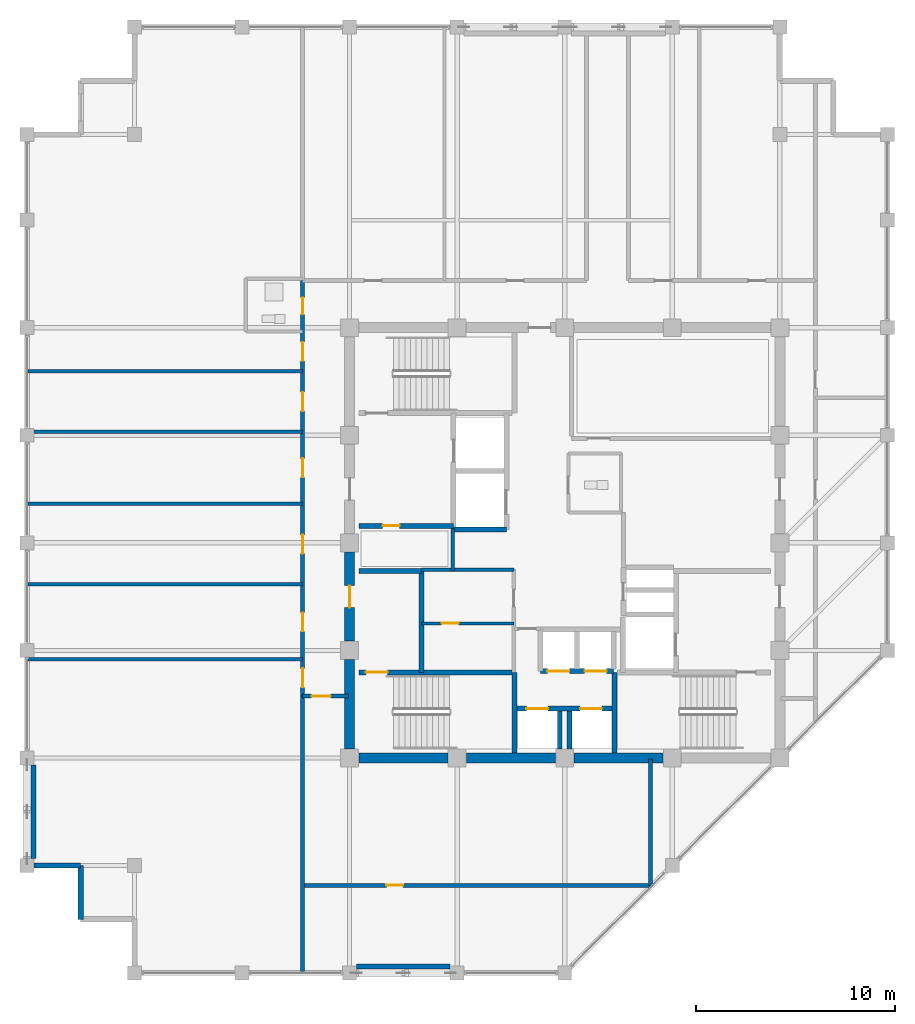
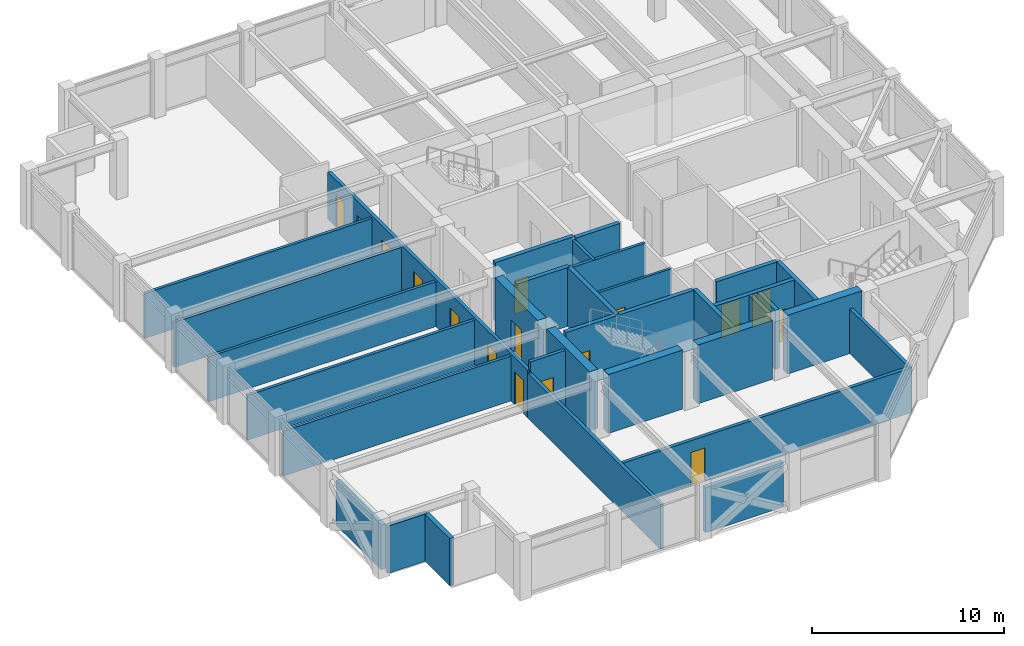
# One storey, part 26 of 30: 33 walls, 17 doors, 17 openings.
"""IFC4 building model written with IfcOpenShell, lengths in metres."""

from ifc_helpers import new_model, si_unit, direction, frame, frame_2d, origin, place, context, subcontext, project, spatial, rectangle, extrude, material, layer, layer_set, type_object, element, fill, save


model = new_model("IFC4")

# Units and contexts
model_context = context("Model", 3, precision=1e-05, world=origin(), true_north=direction((0.0, 1.0)))
body_context = subcontext(model_context, "Body", "Model", "MODEL_VIEW")
ifc_project = project(units=[si_unit("LENGTHUNIT", "METRE"), si_unit("AREAUNIT", "SQUARE_METRE"), si_unit("VOLUMEUNIT", "CUBIC_METRE"), si_unit("PLANEANGLEUNIT", "RADIAN"), si_unit("MASSUNIT", "GRAM", prefix="KILO")], contexts=[model_context])

# Site, building, storey
site_placement = place(None, origin())
site = spatial("IfcSite", under=ifc_project, at=site_placement, CompositionType="ELEMENT")
building_placement = place(site_placement, origin())
building = spatial("IfcBuilding", under=site, at=building_placement, Name="Surkhivell Harbour Commons", CompositionType="ELEMENT")
storey_placement = place(building_placement, frame((0.0, 0.0, 292.5)))
storey = spatial("IfcBuildingStorey", under=building, at=storey_placement, Name="L76", CompositionType="ELEMENT", Elevation=292.5)

# Walls
ifc_material_1 = material(Name="Concrete C50/60", Category="concrete")
ifc_layer_1 = layer(ifc_material_1, 0.5)
ifc_layer_set_1 = layer_set([ifc_layer_1], Name="Concrete C50/60")
wall_type_1 = type_object("IfcWallType", Name="WAL-CORE-500", PredefinedType="SHEAR", material=ifc_layer_set_1)
for number, where, z_axis, x_axis, name in (
    (1, (-10.340087890625, -10.800048828125, 0.0), (0.0, 0.0, 1.0), (1.0, 0.0, 0.0), "L76 Core Shear Wall South 1"),
    (2, (-10.800048828125, -10.340087890625, 0.0), (0.0, 0.0, 1.0), (0.0, 1.0, 0.0), "L76 Core Shear Wall West 1"),
    (3, (-4.93994140625, -10.800048828125, 0.0), (0.0, 0.0, 1.0), (1.0, 0.0, 0.0), "L76 Core Shear Wall South 2"),
):
    element("IfcWall", number, at=place(storey_placement, frame(where, z_axis=z_axis, x_axis=x_axis)), inside=storey, type_object=wall_type_1, Name=name, PredefinedType="SHEAR", context=body_context, shape_type="SweptSolid", body=[
        extrude(rectangle(XDim=4.47998046875, YDim=0.5, at=frame_2d((2.239990234375, 0.0))), origin(), (0.0, 0.0, 1.0), 3.75),
    ])

# Wall, opening, door
wall_1_placement = place(storey_placement, frame((-10.800048828125, -4.93994140625, 0.0), z_axis=(0.0, 0.0, 1.0), x_axis=(0.0, 1.0, 0.0)))
wall_1 = element("IfcWall", 4, at=wall_1_placement, inside=storey, type_object=wall_type_1, Name="L76 Core Shear Wall West 2", PredefinedType="SHEAR", context=body_context, shape_type="SweptSolid", body=[
    extrude(rectangle(XDim=4.47998046875, YDim=0.5, at=frame_2d((2.239990234375, 0.0))), origin(), (0.0, 0.0, 1.0), 3.75),
])
opening_1_placement = place(wall_1_placement, frame((1.68994140625, 0.0, 0.0)))
opening_1 = element("IfcOpeningElement", 5, at=opening_1_placement, cuts=wall_1, Name="Opening ID-2", PredefinedType="OPENING", context=body_context, shape_type="SweptSolid", body=[
    extrude(rectangle(XDim=1.10009765625, YDim=2.10009765625, at=frame_2d((0.550048828125, 1.050048828125))), frame((0.0, 0.260009765625, 0.0), z_axis=(0.0, -1.0, 0.0), x_axis=(1.0, 0.0, 0.0)), (0.0, 0.0, 1.0), 0.52001953125),
])
ifc_material_2 = material(Name="Hardwood-veneered fire-rated door leaf", Category="wood")
door_type_1 = type_object("IfcDoorType", Name="DOR-FD60-1100", OperationType="NOTDEFINED", PredefinedType="DOOR", material=ifc_material_2)
door_1_placement = place(opening_1_placement, origin())
door_1 = element("IfcDoor", 6, at=door_1_placement, inside=storey, type_object=door_type_1, Name="L76 Stair 3 Lobby Corridor Door", OperationType="SINGLE_SWING_LEFT", OverallHeight=2.10009765625, OverallWidth=1.10009765625, PredefinedType="DOOR", context=body_context, shape_type="SweptSolid", body=[
    extrude(rectangle(XDim=1.10009765625, YDim=2.10009765625, at=frame_2d((0.550048828125, 1.050048828125))), frame((0.0, 0.02490234375, 0.0), z_axis=(0.0, -1.0, 0.0), x_axis=(1.0, 0.0, 0.0)), (0.0, 0.0, 1.0), 0.050048828125),
])
fill(opening_1, door_1)

# Walls
wall_2_placement = place(storey_placement, frame((0.4599609375, -10.800048828125, 0.0), z_axis=(0.0, 0.0, 1.0), x_axis=(1.0, 0.0, 0.0)))
element("IfcWall", 7, at=wall_2_placement, inside=storey, type_object=wall_type_1, Name="L76 Core Shear Wall South 3", PredefinedType="SHEAR", context=body_context, shape_type="SweptSolid", body=[
    extrude(rectangle(XDim=4.47998046875, YDim=0.5, at=frame_2d((2.239990234375, 0.0))), origin(), (0.0, 0.0, 1.0), 3.75),
])
ifc_material_3 = material(Name="Pale-metal insulated precast concrete C45/55", Category="concrete")
ifc_layer_2 = layer(ifc_material_3, 0.260009765625)
ifc_layer_set_2 = layer_set([ifc_layer_2], Name="Pale-metal insulated precast concrete C45/55")
wall_type_2 = type_object("IfcWallType", Name="WAL-EXT-MTL260", PredefinedType="STANDARD", material=ifc_layer_set_2)
wall_3_placement = place(storey_placement, frame((-10.451904296875, -21.264892578125, 0.0), z_axis=(0.0, 0.0, 1.0), x_axis=(1.0, 0.0, 0.0)))
element("IfcWall", 8, at=wall_3_placement, inside=storey, type_object=wall_type_2, Name="L76 Braced-Bay Insulated Spandrel Backing S", PredefinedType="STANDARD", context=body_context, shape_type="SweptSolid", body=[
    extrude(rectangle(XDim=4.703857421875, YDim=0.260009765625, at=frame_2d((2.35205078125, 0.0))), origin(), (0.0, 0.0, 1.0), 2.85693359375),
])
wall_4_placement = place(storey_placement, frame((-26.6650390625, -11.14794921875, 0.0), z_axis=(0.0, 0.0, 1.0), x_axis=(0.0, -1.0, 0.0)))
element("IfcWall", 9, at=wall_4_placement, inside=storey, type_object=wall_type_2, Name="L76 Braced-Bay Insulated Spandrel Backing W", PredefinedType="STANDARD", context=body_context, shape_type="SweptSolid", body=[
    extrude(rectangle(XDim=4.7041015625, YDim=0.260009765625, at=frame_2d((2.35205078125, 0.0))), origin(), (0.0, 0.0, 1.0), 2.85693359375),
])
wall_5_placement = place(storey_placement, frame((-26.652099609375, -16.199951171875, 0.0), z_axis=(0.0, 0.0, 1.0), x_axis=(1.0, 0.0, 0.0)))
element("IfcWall", 10, at=wall_5_placement, inside=storey, type_object=wall_type_2, Name="L76 Serrated Corner Facade Wall 13", PredefinedType="STANDARD", context=body_context, shape_type="SweptSolid", body=[
    extrude(rectangle(XDim=2.35205078125, YDim=0.260009765625, at=frame_2d((1.176025390625, 0.0))), origin(), (0.0, 0.0, 1.0), 3.012939453125),
])
wall_6_placement = place(storey_placement, frame((-24.300048828125, -16.199951171875, 0.0), z_axis=(0.0, 0.0, 1.0), x_axis=(0.0, -1.0, 0.0)))
element("IfcWall", 11, at=wall_6_placement, inside=storey, type_object=wall_type_2, Name="L76 Serrated Corner Facade Wall 14", PredefinedType="STANDARD", context=body_context, shape_type="SweptSolid", body=[
    extrude(rectangle(XDim=2.699951171875, YDim=0.260009765625, at=frame_2d((1.35009765625, 0.0))), origin(), (0.0, 0.0, 1.0), 3.012939453125),
])

# Wall, opening, door
ifc_material_4 = material(Name="Twin-stud acoustic fireboard partition", Category="other")
ifc_layer_3 = layer(ifc_material_4, 0.14990234375)
ifc_layer_set_3 = layer_set([ifc_layer_3], Name="Twin-stud acoustic fireboard partition")
wall_type_3 = type_object("IfcWallType", Name="WAL-INT-150", PredefinedType="PARTITIONING", material=ifc_layer_set_3)
wall_7_placement = place(storey_placement, frame((-7.179931640625, -4.050048828125, 0.0), z_axis=(0.0, 0.0, 1.0), x_axis=(1.0, 0.0, 0.0)))
wall_7 = element("IfcWall", 12, at=wall_7_placement, inside=storey, type_object=wall_type_3, Name="L76 Core Cut A Partition", PredefinedType="PARTITIONING", context=body_context, shape_type="SweptSolid", body=[
    extrude(rectangle(XDim=4.6298828125, YDim=0.14990234375, at=frame_2d((2.31494140625, 0.0))), origin(), (0.0, 0.0, 1.0), 3.570068359375),
])
opening_2_placement = place(wall_7_placement, frame((1.0, 0.0, 0.0)))
opening_2 = element("IfcOpeningElement", 13, at=opening_2_placement, cuts=wall_7, Name="Opening ID-6", PredefinedType="OPENING", context=body_context, shape_type="SweptSolid", body=[
    extrude(rectangle(XDim=0.85009765625, YDim=2.10009765625, at=frame_2d((0.425048828125, 1.050048828125))), frame((0.0, 0.0849609375, 0.0), z_axis=(0.0, -1.0, 0.0), x_axis=(1.0, 0.0, 0.0)), (0.0, 0.0, 1.0), 0.169921875),
])
door_type_2 = type_object("IfcDoorType", Name="DOR-FD30-850", OperationType="NOTDEFINED", PredefinedType="DOOR", material=ifc_material_2)
door_2_placement = place(opening_2_placement, origin())
door_2 = element("IfcDoor", 14, at=door_2_placement, inside=storey, type_object=door_type_2, Name="L76 Linen Room Door", OperationType="SINGLE_SWING_RIGHT", OverallHeight=2.10009765625, OverallWidth=0.85009765625, PredefinedType="DOOR", context=body_context, shape_type="SweptSolid", body=[
    extrude(rectangle(XDim=0.85009765625, YDim=2.10009765625, at=frame_2d((0.425048828125, 1.050048828125))), frame((0.0, 0.02490234375, 0.0), z_axis=(0.0, -1.0, 0.0), x_axis=(1.0, 0.0, 0.0)), (0.0, 0.0, 1.0), 0.050048828125),
])
fill(opening_2, door_2)

# Walls
ifc_material_5 = material(Name="High-density acoustic blockwork fire partition", Category="masonry")
ifc_layer_4 = layer(ifc_material_5, 0.175048828125)
ifc_layer_set_4 = layer_set([ifc_layer_4], Name="High-density acoustic blockwork fire partition")
wall_type_4 = type_object("IfcWallType", Name="WAL-INT-175", PredefinedType="PARTITIONING", material=ifc_layer_set_4)
wall_8_placement = place(storey_placement, frame((-7.179931640625, -1.35009765625, 0.0), z_axis=(0.0, 0.0, 1.0), x_axis=(1.0, 0.0, 0.0)))
element("IfcWall", 15, at=wall_8_placement, inside=storey, type_object=wall_type_4, Name="L76 Core Service Bay North Wall", PredefinedType="PARTITIONING", context=body_context, shape_type="SweptSolid", body=[
    extrude(rectangle(XDim=4.6298828125, YDim=0.175048828125, at=frame_2d((2.31494140625, 0.0))), origin(), (0.0, 0.0, 1.0), 3.570068359375),
])
wall_9_placement = place(storey_placement, frame((-5.6201171875, -1.419921875, 0.0), z_axis=(0.0, 0.0, 1.0), x_axis=(0.0, 1.0, 0.0)))
element("IfcWall", 16, at=wall_9_placement, inside=storey, type_object=wall_type_4, Name="L76 West Core Bay East Wall", PredefinedType="PARTITIONING", context=body_context, shape_type="SweptSolid", body=[
    extrude(rectangle(XDim=2.139892578125, YDim=0.175048828125, at=frame_2d((1.06982421875, 0.0))), origin(), (0.0, 0.0, 1.0), 3.570068359375),
])
for number, where, z_axis, x_axis, name in (
    (17, (-26.93994140625, -2.090087890625, 0.0), (0.0, 0.0, 1.0), (1.0, 0.0, 0.0), "L76 West Partition BDP1"),
    (18, (-26.93994140625, 1.9599609375, 0.0), (0.0, 0.0, 1.0), (1.0, 0.0, 0.0), "L76 West Partition BDP2"),
    (19, (-26.93994140625, 5.570068359375, 0.0), (0.0, 0.0, 1.0), (1.0, 0.0, 0.0), "L76 West Partition BDP3"),
    (20, (-26.93994140625, -5.85009765625, 0.0), (0.0, 0.0, 1.0), (1.0, 0.0, 0.0), "L76 West Partition PBOT"),
    (21, (-26.93994140625, 8.610107421875, 0.0), (0.0, 0.0, 1.0), (1.0, 0.0, 0.0), "L76 West Partition PTOP"),
):
    element("IfcWall", number, at=place(storey_placement, frame(where, z_axis=z_axis, x_axis=x_axis)), inside=storey, type_object=wall_type_4, Name=name, PredefinedType="PARTITIONING", context=body_context, shape_type="SweptSolid", body=[
        extrude(rectangle(XDim=13.780029296875, YDim=0.175048828125, at=frame_2d((6.89013671875, 0.0))), origin(), (0.0, 0.0, 1.0), 2.85693359375),
    ])
ifc_material_6 = material(Name="Autoclaved aerated concrete blockwork and fire plaster", Category="masonry")
ifc_layer_5 = layer(ifc_material_6, 0.199951171875)
ifc_layer_set_5 = layer_set([ifc_layer_5], Name="Autoclaved aerated concrete blockwork and fire plaster")
wall_type_5 = type_object("IfcWallType", Name="WAL-INT-200", PredefinedType="PARTITIONING", material=ifc_layer_set_5)
wall_10_placement = place(storey_placement, frame((4.300048828125, -17.215087890625, 0.0), z_axis=(0.0, 0.0, 1.0), x_axis=(0.0, 1.0, 0.0)))
element("IfcWall", 22, at=wall_10_placement, inside=storey, type_object=wall_type_5, Name="L76 South Hall East Wall", PredefinedType="PARTITIONING", context=body_context, shape_type="SweptSolid", body=[
    extrude(rectangle(XDim=6.364990234375, YDim=0.199951171875, at=frame_2d((3.1826171875, 0.0))), origin(), (0.0, 0.0, 1.0), 2.85693359375),
])

# Wall, opening, door
wall_11_placement = place(storey_placement, frame((-13.159912109375, -17.199951171875, 0.0), z_axis=(0.0, 0.0, 1.0), x_axis=(1.0, 0.0, 0.0)))
wall_11 = element("IfcWall", 23, at=wall_11_placement, inside=storey, type_object=wall_type_5, Name="L76 South Wing Horizontal Partition", PredefinedType="PARTITIONING", context=body_context, shape_type="SweptSolid", body=[
    extrude(rectangle(XDim=17.4599609375, YDim=0.199951171875, at=frame_2d((8.72998046875, 0.0))), origin(), (0.0, 0.0, 1.0), 2.85693359375),
])
opening_3_placement = place(wall_11_placement, frame((4.199951171875, 0.0, 0.0)))
opening_3 = element("IfcOpeningElement", 24, at=opening_3_placement, cuts=wall_11, Name="Opening ID-6", PredefinedType="OPENING", context=body_context, shape_type="SweptSolid", body=[
    extrude(rectangle(XDim=0.85009765625, YDim=2.10009765625, at=frame_2d((0.425048828125, 1.050048828125))), frame((0.0, 0.10986328125, 0.0), z_axis=(0.0, -1.0, 0.0), x_axis=(1.0, 0.0, 0.0)), (0.0, 0.0, 1.0), 0.219970703125),
])
door_3_placement = place(opening_3_placement, origin())
door_3 = element("IfcDoor", 25, at=door_3_placement, inside=storey, type_object=door_type_2, Name="L76 South Music Door", OperationType="SINGLE_SWING_RIGHT", OverallHeight=2.10009765625, OverallWidth=0.85009765625, PredefinedType="DOOR", context=body_context, shape_type="SweptSolid", body=[
    extrude(rectangle(XDim=0.85009765625, YDim=2.10009765625, at=frame_2d((0.425048828125, 1.050048828125))), frame((0.0, 0.02490234375, 0.0), z_axis=(0.0, -1.0, 0.0), x_axis=(1.0, 0.0, 0.0)), (0.0, 0.0, 1.0), 0.050048828125),
])
fill(opening_3, door_3)

# Wall
wall_12_placement = place(storey_placement, frame((-13.159912109375, -21.5400390625, 0.0), z_axis=(0.0, 0.0, 1.0), x_axis=(0.0, 1.0, 0.0)))
element("IfcWall", 26, at=wall_12_placement, inside=storey, type_object=wall_type_5, Name="L76 South Hall West Divider", PredefinedType="PARTITIONING", context=body_context, shape_type="SweptSolid", body=[
    extrude(rectangle(XDim=13.840087890625, YDim=0.199951171875, at=frame_2d((6.919921875, 0.0))), origin(), (0.0, 0.0, 1.0), 2.85693359375),
])

# Wall, openings, doors
wall_13_placement = place(storey_placement, frame((-13.159912109375, -7.699951171875, 0.0), z_axis=(0.0, 0.0, 1.0), x_axis=(0.0, 1.0, 0.0)))
wall_13 = element("IfcWall", 27, at=wall_13_placement, inside=storey, type_object=wall_type_5, Name="L76 West Corridor Wall", PredefinedType="PARTITIONING", context=body_context, shape_type="SweptSolid", body=[
    extrude(rectangle(XDim=20.85986328125, YDim=0.199951171875, at=frame_2d((10.429931640625, 0.0))), origin(), (0.0, 0.0, 1.0), 3.012939453125),
])
opening_4_placement = place(wall_13_placement, frame((0.445068359375, 0.0, 0.0)))
opening_4 = element("IfcOpeningElement", 28, at=opening_4_placement, cuts=wall_13, Name="Opening ID-4", PredefinedType="OPENING", context=body_context, shape_type="SweptSolid", body=[
    extrude(rectangle(XDim=0.949951171875, YDim=2.10009765625, at=frame_2d((0.47509765625, 1.050048828125))), frame((0.0, 0.10986328125, 0.0), z_axis=(0.0, -1.0, 0.0), x_axis=(1.0, 0.0, 0.0)), (0.0, 0.0, 1.0), 0.219970703125),
])
opening_5_placement = place(wall_13_placement, frame((19.1650390625, 0.0, 0.0)))
opening_5 = element("IfcOpeningElement", 29, at=opening_5_placement, cuts=wall_13, Name="Opening ID-6", PredefinedType="OPENING", context=body_context, shape_type="SweptSolid", body=[
    extrude(rectangle(XDim=0.85009765625, YDim=2.10009765625, at=frame_2d((0.425048828125, 1.050048828125))), frame((0.0, 0.10986328125, 0.0), z_axis=(0.0, -1.0, 0.0), x_axis=(1.0, 0.0, 0.0)), (0.0, 0.0, 1.0), 0.219970703125),
])
opening_6_placement = place(wall_13_placement, frame((16.830078125, 0.0, 0.0)))
opening_6 = element("IfcOpeningElement", 30, at=opening_6_placement, cuts=wall_13, Name="Opening ID-4", PredefinedType="OPENING", context=body_context, shape_type="SweptSolid", body=[
    extrude(rectangle(XDim=0.949951171875, YDim=2.10009765625, at=frame_2d((0.47509765625, 1.050048828125))), frame((0.0, 0.10986328125, 0.0), z_axis=(0.0, -1.0, 0.0), x_axis=(1.0, 0.0, 0.0)), (0.0, 0.0, 1.0), 0.219970703125),
])
opening_7_placement = place(wall_13_placement, frame((3.25, 0.0, 0.0)))
opening_7 = element("IfcOpeningElement", 31, at=opening_7_placement, cuts=wall_13, Name="Opening ID-4", PredefinedType="OPENING", context=body_context, shape_type="SweptSolid", body=[
    extrude(rectangle(XDim=0.949951171875, YDim=2.10009765625, at=frame_2d((0.47509765625, 1.050048828125))), frame((0.0, 0.10986328125, 0.0), z_axis=(0.0, -1.0, 0.0), x_axis=(1.0, 0.0, 0.0)), (0.0, 0.0, 1.0), 0.219970703125),
])
opening_8_placement = place(wall_13_placement, frame((7.155029296875, 0.0, 0.0)))
opening_8 = element("IfcOpeningElement", 32, at=opening_8_placement, cuts=wall_13, Name="Opening ID-4", PredefinedType="OPENING", context=body_context, shape_type="SweptSolid", body=[
    extrude(rectangle(XDim=0.949951171875, YDim=2.10009765625, at=frame_2d((0.47509765625, 1.050048828125))), frame((0.0, 0.10986328125, 0.0), z_axis=(0.0, -1.0, 0.0), x_axis=(1.0, 0.0, 0.0)), (0.0, 0.0, 1.0), 0.219970703125),
])
opening_9_placement = place(wall_13_placement, frame((10.985107421875, 0.0, 0.0)))
opening_9 = element("IfcOpeningElement", 33, at=opening_9_placement, cuts=wall_13, Name="Opening ID-4", PredefinedType="OPENING", context=body_context, shape_type="SweptSolid", body=[
    extrude(rectangle(XDim=0.949951171875, YDim=2.10009765625, at=frame_2d((0.47509765625, 1.050048828125))), frame((0.0, 0.10986328125, 0.0), z_axis=(0.0, -1.0, 0.0), x_axis=(1.0, 0.0, 0.0)), (0.0, 0.0, 1.0), 0.219970703125),
])
opening_10_placement = place(wall_13_placement, frame((14.31005859375, 0.0, 0.0)))
opening_10 = element("IfcOpeningElement", 34, at=opening_10_placement, cuts=wall_13, Name="Opening ID-4", PredefinedType="OPENING", context=body_context, shape_type="SweptSolid", body=[
    extrude(rectangle(XDim=0.949951171875, YDim=2.10009765625, at=frame_2d((0.47509765625, 1.050048828125))), frame((0.0, 0.10986328125, 0.0), z_axis=(0.0, -1.0, 0.0), x_axis=(1.0, 0.0, 0.0)), (0.0, 0.0, 1.0), 0.219970703125),
])
door_4_placement = place(opening_5_placement, origin())
door_4 = element("IfcDoor", 35, at=door_4_placement, inside=storey, type_object=door_type_2, Name="L76 Communal Shower Bathroom West Door", OperationType="SINGLE_SWING_LEFT", OverallHeight=2.10009765625, OverallWidth=0.85009765625, PredefinedType="DOOR", context=body_context, shape_type="SweptSolid", body=[
    extrude(rectangle(XDim=0.85009765625, YDim=2.10009765625, at=frame_2d((0.425048828125, 1.050048828125))), frame((0.0, 0.02490234375, 0.0), z_axis=(0.0, -1.0, 0.0), x_axis=(1.0, 0.0, 0.0)), (0.0, 0.0, 1.0), 0.050048828125),
])
fill(opening_5, door_4)
door_type_3 = type_object("IfcDoorType", Name="DOR-FD60-950", OperationType="NOTDEFINED", PredefinedType="DOOR", material=ifc_material_2)
door_5_placement = place(opening_4_placement, origin())
door_5 = element("IfcDoor", 36, at=door_5_placement, inside=storey, type_object=door_type_3, Name="L76 Shared Communal Kitchen West Door", OperationType="SINGLE_SWING_RIGHT", OverallHeight=2.10009765625, OverallWidth=0.949951171875, PredefinedType="DOOR", context=body_context, shape_type="SweptSolid", body=[
    extrude(rectangle(XDim=0.949951171875, YDim=2.10009765625, at=frame_2d((0.47509765625, 1.050048828125))), frame((0.0, 0.02490234375, 0.0), z_axis=(0.0, -1.0, 0.0), x_axis=(1.0, 0.0, 0.0)), (0.0, 0.0, 1.0), 0.050048828125),
])
fill(opening_4, door_5)
door_6_placement = place(opening_6_placement, origin())
door_6 = element("IfcDoor", 37, at=door_6_placement, inside=storey, type_object=door_type_3, Name="L76 Academic Reading Commons West Door", OperationType="SINGLE_SWING_RIGHT", OverallHeight=2.10009765625, OverallWidth=0.949951171875, PredefinedType="DOOR", context=body_context, shape_type="SweptSolid", body=[
    extrude(rectangle(XDim=0.949951171875, YDim=2.10009765625, at=frame_2d((0.47509765625, 1.050048828125))), frame((0.0, 0.02490234375, 0.0), z_axis=(0.0, -1.0, 0.0), x_axis=(1.0, 0.0, 0.0)), (0.0, 0.0, 1.0), 0.050048828125),
])
fill(opening_6, door_6)
door_7_placement = place(opening_7_placement, origin())
door_7 = element("IfcDoor", 38, at=door_7_placement, inside=storey, type_object=door_type_3, Name="L76 Hostel Cluster Bedroom 1 West Door", OperationType="SINGLE_SWING_LEFT", OverallHeight=2.10009765625, OverallWidth=0.949951171875, PredefinedType="DOOR", context=body_context, shape_type="SweptSolid", body=[
    extrude(rectangle(XDim=0.949951171875, YDim=2.10009765625, at=frame_2d((0.47509765625, 1.050048828125))), frame((0.0, 0.02490234375, 0.0), z_axis=(0.0, -1.0, 0.0), x_axis=(1.0, 0.0, 0.0)), (0.0, 0.0, 1.0), 0.050048828125),
])
fill(opening_7, door_7)
door_8_placement = place(opening_8_placement, origin())
door_8 = element("IfcDoor", 39, at=door_8_placement, inside=storey, type_object=door_type_3, Name="L76 Co-Living Dormitory Bedroom 2 West Door", OperationType="SINGLE_SWING_RIGHT", OverallHeight=2.10009765625, OverallWidth=0.949951171875, PredefinedType="DOOR", context=body_context, shape_type="SweptSolid", body=[
    extrude(rectangle(XDim=0.949951171875, YDim=2.10009765625, at=frame_2d((0.47509765625, 1.050048828125))), frame((0.0, 0.02490234375, 0.0), z_axis=(0.0, -1.0, 0.0), x_axis=(1.0, 0.0, 0.0)), (0.0, 0.0, 1.0), 0.050048828125),
])
fill(opening_8, door_8)
door_9_placement = place(opening_9_placement, origin())
door_9 = element("IfcDoor", 40, at=door_9_placement, inside=storey, type_object=door_type_3, Name="L76 Hostel Cluster Bedroom 3 West Door", OperationType="SINGLE_SWING_LEFT", OverallHeight=2.10009765625, OverallWidth=0.949951171875, PredefinedType="DOOR", context=body_context, shape_type="SweptSolid", body=[
    extrude(rectangle(XDim=0.949951171875, YDim=2.10009765625, at=frame_2d((0.47509765625, 1.050048828125))), frame((0.0, 0.02490234375, 0.0), z_axis=(0.0, -1.0, 0.0), x_axis=(1.0, 0.0, 0.0)), (0.0, 0.0, 1.0), 0.050048828125),
])
fill(opening_9, door_9)
door_10_placement = place(opening_10_placement, origin())
door_10 = element("IfcDoor", 41, at=door_10_placement, inside=storey, type_object=door_type_3, Name="L76 Co-Living Dormitory Bedroom 4 West Door", OperationType="SINGLE_SWING_RIGHT", OverallHeight=2.10009765625, OverallWidth=0.949951171875, PredefinedType="DOOR", context=body_context, shape_type="SweptSolid", body=[
    extrude(rectangle(XDim=0.949951171875, YDim=2.10009765625, at=frame_2d((0.47509765625, 1.050048828125))), frame((0.0, 0.02490234375, 0.0), z_axis=(0.0, -1.0, 0.0), x_axis=(1.0, 0.0, 0.0)), (0.0, 0.0, 1.0), 0.050048828125),
])
fill(opening_10, door_10)

# Wall, opening, door
wall_14_placement = place(storey_placement, frame((-13.159912109375, -7.699951171875, 0.0), z_axis=(0.0, 0.0, 1.0), x_axis=(1.0, 0.0, 0.0)))
wall_14 = element("IfcWall", 42, at=wall_14_placement, inside=storey, type_object=wall_type_5, Name="L76 West Corridor South Portal Wall", PredefinedType="PARTITIONING", context=body_context, shape_type="SweptSolid", body=[
    extrude(rectangle(XDim=2.309814453125, YDim=0.199951171875, at=frame_2d((1.15478515625, 0.0))), origin(), (0.0, 0.0, 1.0), 3.570068359375),
])
opening_11_placement = place(wall_14_placement, frame((0.449951171875, 0.0, 0.0)))
opening_11 = element("IfcOpeningElement", 43, at=opening_11_placement, cuts=wall_14, Name="Opening ID-4", PredefinedType="OPENING", context=body_context, shape_type="SweptSolid", body=[
    extrude(rectangle(XDim=0.949951171875, YDim=2.10009765625, at=frame_2d((0.47509765625, 1.050048828125))), frame((0.0, 0.10986328125, 0.0), z_axis=(0.0, -1.0, 0.0), x_axis=(1.0, 0.0, 0.0)), (0.0, 0.0, 1.0), 0.219970703125),
])
door_11_placement = place(opening_11_placement, origin())
door_11 = element("IfcDoor", 44, at=door_11_placement, inside=storey, type_object=door_type_3, Name="L76 South Dining Door", OperationType="SINGLE_SWING_RIGHT", OverallHeight=2.10009765625, OverallWidth=0.949951171875, PredefinedType="DOOR", context=body_context, shape_type="SweptSolid", body=[
    extrude(rectangle(XDim=0.949951171875, YDim=2.10009765625, at=frame_2d((0.47509765625, 1.050048828125))), frame((0.0, 0.02490234375, 0.0), z_axis=(0.0, -1.0, 0.0), x_axis=(1.0, 0.0, 0.0)), (0.0, 0.0, 1.0), 0.050048828125),
])
fill(opening_11, door_11)

ifc_layer_6 = layer(ifc_material_1, 0.25)
ifc_layer_set_6 = layer_set([ifc_layer_6], Name="Concrete C50/60")
wall_type_6 = type_object("IfcWallType", Name="WAL-SHAFT-250", PredefinedType="SHEAR", material=ifc_layer_set_6)
wall_15_placement = place(storey_placement, frame((-10.340087890625, 0.85009765625, 0.0), z_axis=(0.0, 0.0, 1.0), x_axis=(1.0, 0.0, 0.0)))
wall_15 = element("IfcWall", 45, at=wall_15_placement, inside=storey, type_object=wall_type_6, Name="L76 Firefighting Lobby 1 South Wall", PredefinedType="SHEAR", context=body_context, shape_type="SweptSolid", body=[
    extrude(rectangle(XDim=4.760009765625, YDim=0.25, at=frame_2d((2.3798828125, 0.0))), origin(), (0.0, 0.0, 1.0), 3.75),
])
opening_12_placement = place(wall_15_placement, frame((1.199951171875, 0.0, 0.0)))
opening_12 = element("IfcOpeningElement", 46, at=opening_12_placement, cuts=wall_15, Name="Opening ID-6", PredefinedType="OPENING", context=body_context, shape_type="SweptSolid", body=[
    extrude(rectangle(XDim=0.85009765625, YDim=2.10009765625, at=frame_2d((0.425048828125, 1.050048828125))), frame((0.0, 0.135009765625, 0.0), z_axis=(0.0, -1.0, 0.0), x_axis=(1.0, 0.0, 0.0)), (0.0, 0.0, 1.0), 0.27001953125),
])
door_12_placement = place(opening_12_placement, origin())
door_12 = element("IfcDoor", 47, at=door_12_placement, inside=storey, type_object=door_type_2, Name="L76 West Quiet Study Door", OperationType="SINGLE_SWING_RIGHT", OverallHeight=2.10009765625, OverallWidth=0.85009765625, PredefinedType="DOOR", context=body_context, shape_type="SweptSolid", body=[
    extrude(rectangle(XDim=0.85009765625, YDim=2.10009765625, at=frame_2d((0.425048828125, 1.050048828125))), frame((0.0, 0.02490234375, 0.0), z_axis=(0.0, -1.0, 0.0), x_axis=(1.0, 0.0, 0.0)), (0.0, 0.0, 1.0), 0.050048828125),
])
fill(opening_12, door_12)

# Walls
for number, where, z_axis, x_axis, name in (
    (48, (-0.25, -10.35009765625, 0.0), (0.0, 0.0, 1.0), (0.0, 1.0, 0.0), "L76 High-Rise Side Wall S"),
    (49, (0.25, -10.35009765625, 0.0), (0.0, 0.0, 1.0), (0.0, 1.0, 0.0), "L76 High-Rise Side Wall S"),
):
    element("IfcWall", number, at=place(storey_placement, frame(where, z_axis=z_axis, x_axis=x_axis)), inside=storey, type_object=wall_type_6, Name=name, PredefinedType="SHEAR", context=body_context, shape_type="SweptSolid", body=[
        extrude(rectangle(XDim=1.91015625, YDim=0.25, at=frame_2d((0.955078125, 0.0))), origin(), (0.0, 0.0, 1.0), 3.75),
    ])

# Wall, openings, doors
wall_16_placement = place(storey_placement, frame((-1.219970703125, -6.43994140625, 0.0), z_axis=(0.0, 0.0, 1.0), x_axis=(1.0, 0.0, 0.0)))
wall_16 = element("IfcWall", 50, at=wall_16_placement, inside=storey, type_object=wall_type_6, Name="L76 High-Rise North Front Shaft Wall", PredefinedType="SHEAR", context=body_context, shape_type="SweptSolid", body=[
    extrude(rectangle(XDim=3.669921875, YDim=0.25, at=frame_2d((1.8349609375, 0.0))), origin(), (0.0, 0.0, 1.0), 3.75),
])
opening_13_placement = place(wall_16_placement, frame((0.35009765625, 0.0, 0.0)))
opening_13 = element("IfcOpeningElement", 51, at=opening_13_placement, cuts=wall_16, Name="Opening LD-1", PredefinedType="OPENING", context=body_context, shape_type="SweptSolid", body=[
    extrude(rectangle(XDim=1.10009765625, YDim=2.10009765625, at=frame_2d((0.550048828125, 1.050048828125))), frame((0.0, 0.135009765625, 0.0), z_axis=(0.0, -1.0, 0.0), x_axis=(1.0, 0.0, 0.0)), (0.0, 0.0, 1.0), 0.27001953125),
])
opening_14_placement = place(wall_16_placement, frame((2.219970703125, 0.0, 0.0)))
opening_14 = element("IfcOpeningElement", 52, at=opening_14_placement, cuts=wall_16, Name="Opening LD-1", PredefinedType="OPENING", context=body_context, shape_type="SweptSolid", body=[
    extrude(rectangle(XDim=1.10009765625, YDim=2.10009765625, at=frame_2d((0.550048828125, 1.050048828125))), frame((0.0, 0.135009765625, 0.0), z_axis=(0.0, -1.0, 0.0), x_axis=(1.0, 0.0, 0.0)), (0.0, 0.0, 1.0), 0.27001953125),
])
ifc_material_7 = material(Name="Brushed stainless steel S355", Category="steel")
door_type_4 = type_object("IfcDoorType", Name="DOR-LD-1100", OperationType="SLIDING_TO_LEFT", PredefinedType="DOOR", material=ifc_material_7)
door_13_placement = place(opening_13_placement, origin())
door_13 = element("IfcDoor", 53, at=door_13_placement, inside=storey, type_object=door_type_4, Name="L76 Lift Landing Door LD-PH1", OperationType="SLIDING_TO_LEFT", OverallHeight=2.10009765625, OverallWidth=1.10009765625, PredefinedType="DOOR", context=body_context, shape_type="SweptSolid", body=[
    extrude(rectangle(XDim=1.10009765625, YDim=2.10009765625, at=frame_2d((0.550048828125, 1.050048828125))), frame((0.0, 0.02490234375, 0.0), z_axis=(0.0, -1.0, 0.0), x_axis=(1.0, 0.0, 0.0)), (0.0, 0.0, 1.0), 0.050048828125),
])
fill(opening_13, door_13)
door_14_placement = place(opening_14_placement, origin())
door_14 = element("IfcDoor", 54, at=door_14_placement, inside=storey, type_object=door_type_4, Name="L76 Lift Landing Door LD-PH2", OperationType="SLIDING_TO_LEFT", OverallHeight=2.10009765625, OverallWidth=1.10009765625, PredefinedType="DOOR", context=body_context, shape_type="SweptSolid", body=[
    extrude(rectangle(XDim=1.10009765625, YDim=2.10009765625, at=frame_2d((0.550048828125, 1.050048828125))), frame((0.0, 0.02490234375, 0.0), z_axis=(0.0, -1.0, 0.0), x_axis=(1.0, 0.0, 0.0)), (0.0, 0.0, 1.0), 0.050048828125),
])
fill(opening_14, door_14)

wall_17_placement = place(storey_placement, frame((-2.47998046875, -8.320068359375, 0.0), z_axis=(0.0, 0.0, 1.0), x_axis=(1.0, 0.0, 0.0)))
wall_17 = element("IfcWall", 55, at=wall_17_placement, inside=storey, type_object=wall_type_6, Name="L76 High-Rise South Front Shaft Wall", PredefinedType="SHEAR", context=body_context, shape_type="SweptSolid", body=[
    extrude(rectangle(XDim=4.929931640625, YDim=0.25, at=frame_2d((2.46484375, 0.0))), origin(), (0.0, 0.0, 1.0), 3.75),
])
opening_15_placement = place(wall_17_placement, frame((0.550048828125, 0.0, 0.0)))
opening_15 = element("IfcOpeningElement", 56, at=opening_15_placement, cuts=wall_17, Name="Opening LD-1", PredefinedType="OPENING", context=body_context, shape_type="SweptSolid", body=[
    extrude(rectangle(XDim=1.10009765625, YDim=2.10009765625, at=frame_2d((0.550048828125, 1.050048828125))), frame((0.0, 0.135009765625, 0.0), z_axis=(0.0, -1.0, 0.0), x_axis=(1.0, 0.0, 0.0)), (0.0, 0.0, 1.0), 0.27001953125),
])
opening_16_placement = place(wall_17_placement, frame((3.25, 0.0, 0.0)))
opening_16 = element("IfcOpeningElement", 57, at=opening_16_placement, cuts=wall_17, Name="Opening LD-1", PredefinedType="OPENING", context=body_context, shape_type="SweptSolid", body=[
    extrude(rectangle(XDim=1.10009765625, YDim=2.10009765625, at=frame_2d((0.550048828125, 1.050048828125))), frame((0.0, 0.135009765625, 0.0), z_axis=(0.0, -1.0, 0.0), x_axis=(1.0, 0.0, 0.0)), (0.0, 0.0, 1.0), 0.27001953125),
])
door_15_placement = place(opening_15_placement, origin())
door_15 = element("IfcDoor", 58, at=door_15_placement, inside=storey, type_object=door_type_4, Name="L76 Lift Landing Door LD-PH3", OperationType="SLIDING_TO_LEFT", OverallHeight=2.10009765625, OverallWidth=1.10009765625, PredefinedType="DOOR", context=body_context, shape_type="SweptSolid", body=[
    extrude(rectangle(XDim=1.10009765625, YDim=2.10009765625, at=frame_2d((0.550048828125, 1.050048828125))), frame((0.0, 0.02490234375, 0.0), z_axis=(0.0, -1.0, 0.0), x_axis=(1.0, 0.0, 0.0)), (0.0, 0.0, 1.0), 0.050048828125),
])
fill(opening_15, door_15)
door_16_placement = place(opening_16_placement, origin())
door_16 = element("IfcDoor", 59, at=door_16_placement, inside=storey, type_object=door_type_4, Name="L76 Lift Landing Door LD-PH4", OperationType="SLIDING_TO_LEFT", OverallHeight=2.10009765625, OverallWidth=1.10009765625, PredefinedType="DOOR", context=body_context, shape_type="SweptSolid", body=[
    extrude(rectangle(XDim=1.10009765625, YDim=2.10009765625, at=frame_2d((0.550048828125, 1.050048828125))), frame((0.0, 0.02490234375, 0.0), z_axis=(0.0, -1.0, 0.0), x_axis=(1.0, 0.0, 0.0)), (0.0, 0.0, 1.0), 0.050048828125),
])
fill(opening_16, door_16)

# Walls
for number, where, z_axis, x_axis, name in (
    (60, (2.510009765625, -10.550048828125, 0.0), (0.0, 0.0, 1.0), (0.0, 1.0, 0.0), "L76 Stair ST2 West Shear Wall"),
    (61, (-2.510009765625, -10.550048828125, 0.0), (0.0, 0.0, 1.0), (0.0, 1.0, 0.0), "L76 Stair ST3 East Shear Wall"),
):
    element("IfcWall", number, at=place(storey_placement, frame(where, z_axis=z_axis, x_axis=x_axis)), inside=storey, type_object=wall_type_6, Name=name, PredefinedType="SHEAR", context=body_context, shape_type="SweptSolid", body=[
        extrude(rectangle(XDim=4.0400390625, YDim=0.25, at=frame_2d((2.02001953125, 0.0))), origin(), (0.0, 0.0, 1.0), 3.75),
    ])
wall_18_placement = place(storey_placement, frame((-7.179931640625, -6.510009765625, 0.0), z_axis=(0.0, 0.0, 1.0), x_axis=(0.0, 1.0, 0.0)))
element("IfcWall", 62, at=wall_18_placement, inside=storey, type_object=wall_type_6, Name="L76 Stair 3 Lobby East Wall", PredefinedType="SHEAR", context=body_context, shape_type="SweptSolid", body=[
    extrude(rectangle(XDim=5.090087890625, YDim=0.25, at=frame_2d((2.544921875, 0.0))), origin(), (0.0, 0.0, 1.0), 3.75),
])
wall_19_placement = place(storey_placement, frame((-10.340087890625, -1.419921875, 0.0), z_axis=(0.0, 0.0, 1.0), x_axis=(1.0, 0.0, 0.0)))
element("IfcWall", 63, at=wall_19_placement, inside=storey, type_object=wall_type_6, Name="L76 Stair 3 Lobby North Wall", PredefinedType="SHEAR", context=body_context, shape_type="SweptSolid", body=[
    extrude(rectangle(XDim=3.16015625, YDim=0.25, at=frame_2d((1.580078125, 0.0))), origin(), (0.0, 0.0, 1.0), 3.75),
])

# Wall, opening, door
wall_20_placement = place(storey_placement, frame((-10.340087890625, -6.510009765625, 0.0), z_axis=(0.0, 0.0, 1.0), x_axis=(1.0, 0.0, 0.0)))
wall_20 = element("IfcWall", 64, at=wall_20_placement, inside=storey, type_object=wall_type_6, Name="L76 Stair ST3 North Shear Wall", PredefinedType="SHEAR", context=body_context, shape_type="SweptSolid", body=[
    extrude(rectangle(XDim=7.7001953125, YDim=0.25, at=frame_2d((3.85009765625, 0.0))), origin(), (0.0, 0.0, 1.0), 3.75),
])
opening_17_placement = place(wall_20_placement, frame((0.35009765625, 0.0, 0.0)))
opening_17 = element("IfcOpeningElement", 65, at=opening_17_placement, cuts=wall_20, Name="Opening ID-2", PredefinedType="OPENING", context=body_context, shape_type="SweptSolid", body=[
    extrude(rectangle(XDim=1.10009765625, YDim=2.10009765625, at=frame_2d((0.550048828125, 1.050048828125))), frame((0.0, 0.135009765625, 0.0), z_axis=(0.0, -1.0, 0.0), x_axis=(1.0, 0.0, 0.0)), (0.0, 0.0, 1.0), 0.27001953125),
])
door_17_placement = place(opening_17_placement, origin())
door_17 = element("IfcDoor", 66, at=door_17_placement, inside=storey, type_object=door_type_1, Name="L76 Stair ST3 Exit Door", OperationType="SINGLE_SWING_RIGHT", OverallHeight=2.10009765625, OverallWidth=1.10009765625, PredefinedType="DOOR", context=body_context, shape_type="SweptSolid", body=[
    extrude(rectangle(XDim=1.10009765625, YDim=2.10009765625, at=frame_2d((0.550048828125, 1.050048828125))), frame((0.0, 0.02490234375, 0.0), z_axis=(0.0, -1.0, 0.0), x_axis=(1.0, 0.0, 0.0)), (0.0, 0.0, 1.0), 0.050048828125),
])
fill(opening_17, door_17)

# Wall
wall_21_placement = place(storey_placement, frame((-5.580078125, 0.679931640625, 0.0), z_axis=(0.0, 0.0, 1.0), x_axis=(1.0, 0.0, 0.0)))
element("IfcWall", 67, at=wall_21_placement, inside=storey, type_object=wall_type_6, Name="L76 SVL1 South Shaft Wall", PredefinedType="SHEAR", context=body_context, shape_type="SweptSolid", body=[
    extrude(rectangle(XDim=2.650146484375, YDim=0.25, at=frame_2d((1.3251953125, 0.0))), origin(), (0.0, 0.0, 1.0), 3.75),
])

save(model, "model.ifc")
